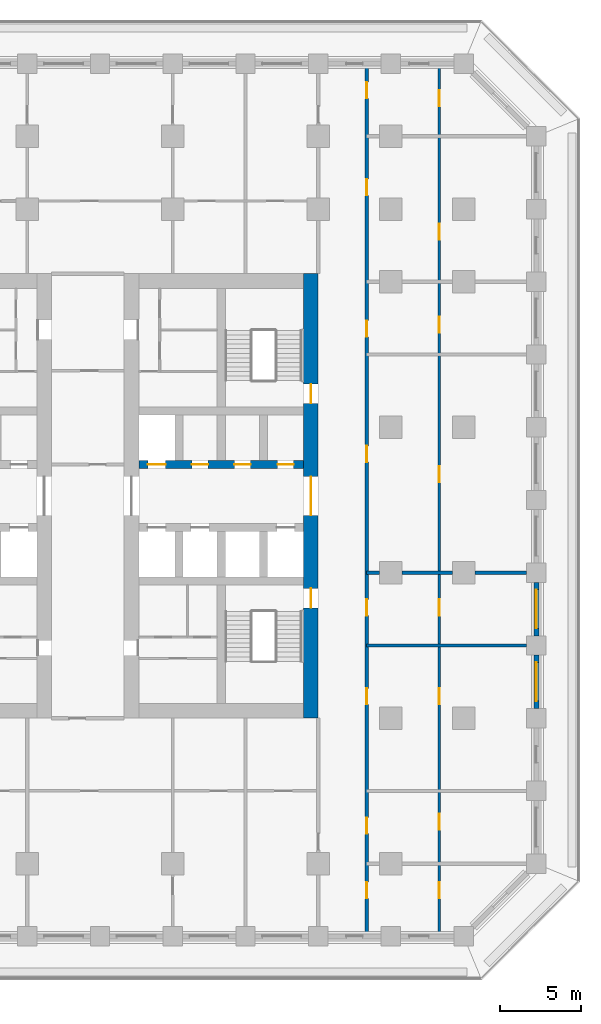
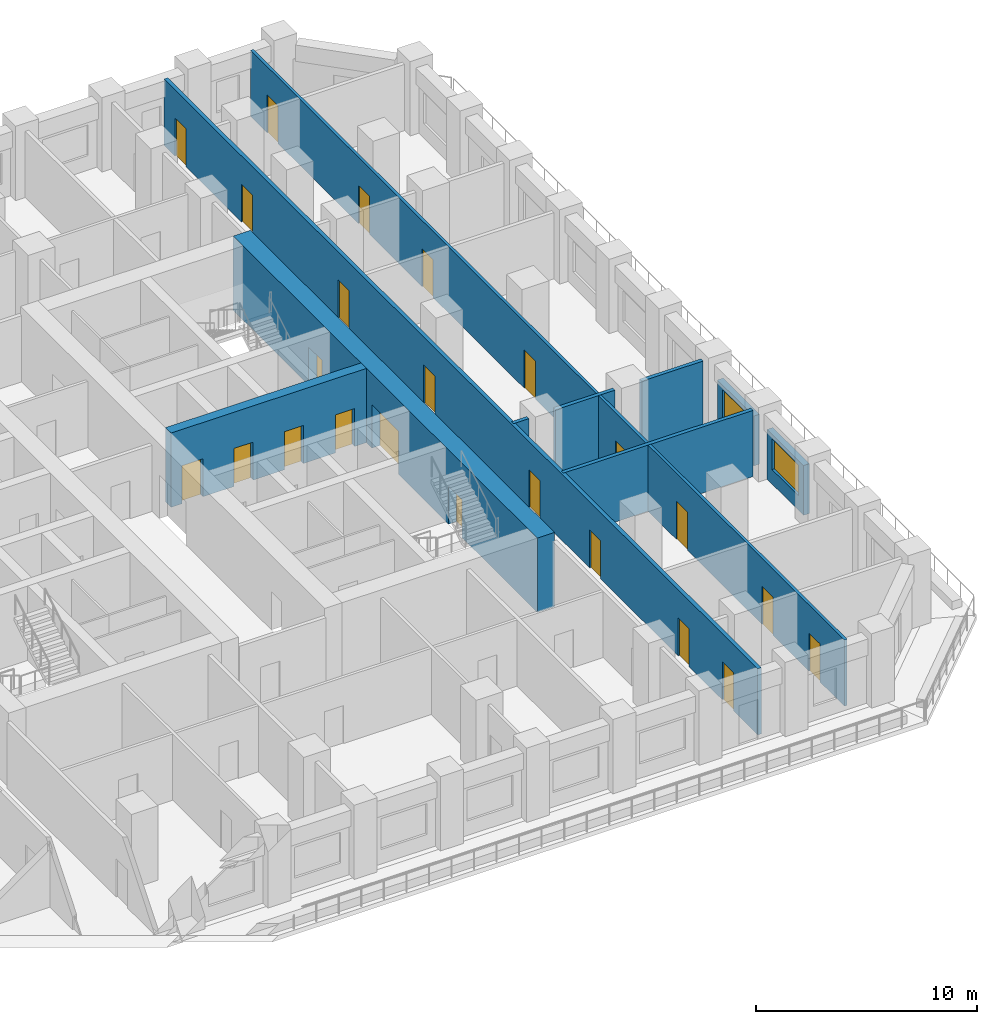
# One storey, part 6 of 18: 23 doors, 10 walls, 2 windows, 25 openings.
"""IFC4 building model written with IfcOpenShell, lengths in metres."""

from ifc_helpers import new_model, si_unit, direction, frame, frame_2d, origin, place, context, subcontext, project, spatial, rectangle, extrude, material, layer, layer_set, type_object, element, fill, save


model = new_model("IFC4")

# Units and contexts
model_context = context("Model", 3, precision=1e-05, world=origin(), true_north=direction((0.0, 1.0)))
body_context = subcontext(model_context, "Body", "Model", "MODEL_VIEW")
ifc_project = project(units=[si_unit("LENGTHUNIT", "METRE"), si_unit("AREAUNIT", "SQUARE_METRE"), si_unit("VOLUMEUNIT", "CUBIC_METRE"), si_unit("PLANEANGLEUNIT", "RADIAN"), si_unit("MASSUNIT", "GRAM", prefix="KILO")], contexts=[model_context])

# Site, building, storey
site_placement = place(None, origin())
site = spatial("IfcSite", under=ifc_project, at=site_placement, CompositionType="ELEMENT")
building_placement = place(site_placement, origin())
building = spatial("IfcBuilding", under=site, at=building_placement, Name="Corbel Stack Research Tower", CompositionType="ELEMENT")
storey_placement = place(building_placement, frame((0.0, 0.0, 102.5)))
storey = spatial("IfcBuildingStorey", under=building, at=storey_placement, Name="L23", CompositionType="ELEMENT", Elevation=102.5)

# Wall, openings, doors
ifc_material_1 = material(Name="Concrete C70/85", Category="concrete")
ifc_layer_1 = layer(ifc_material_1, 0.5)
ifc_layer_set_1 = layer_set([ifc_layer_1], Name="Concrete C70/85")
wall_type_1 = type_object("IfcWallType", Name="CW-500-70", PredefinedType="SHEAR", material=ifc_layer_set_1)
wall_1_placement = place(storey_placement, frame((6.89990234375, 6.699951171875, 0.0), z_axis=(0.0, 0.0, 1.0), x_axis=(1.0, 0.0, 0.0)))
wall_1 = element("IfcWall", 1, at=wall_1_placement, inside=storey, type_object=wall_type_1, Name="East core wall, lobby north L23", PredefinedType="SHEAR", context=body_context, shape_type="SweptSolid", body=[
    extrude(rectangle(XDim=10.2001953125, YDim=0.5, at=frame_2d((5.10009765625, 0.0))), origin(), (0.0, 0.0, 1.0), 4.10009765625),
])
opening_1_placement = place(wall_1_placement, frame((0.5625, 0.0, 0.0)))
opening_1 = element("IfcOpeningElement", 2, at=opening_1_placement, cuts=wall_1, Name="Opening LD-LR4", PredefinedType="OPENING", context=body_context, shape_type="SweptSolid", body=[
    extrude(rectangle(XDim=1.10009765625, YDim=2.10009765625, at=frame_2d((0.550048828125, 1.050048828125))), frame((0.0, 0.260009765625, 0.0), z_axis=(0.0, -1.0, 0.0), x_axis=(1.0, 0.0, 0.0)), (0.0, 0.0, 1.0), 0.52001953125),
])
opening_2_placement = place(wall_1_placement, frame((3.28759765625, 0.0, 0.0)))
opening_2 = element("IfcOpeningElement", 3, at=opening_2_placement, cuts=wall_1, Name="Opening CR-E24-N2", PredefinedType="OPENING", context=body_context, shape_type="SweptSolid", body=[
    extrude(rectangle(XDim=1.0, YDim=2.10009765625, at=frame_2d((0.5, 1.050048828125))), frame((0.0, 0.260009765625, 0.0), z_axis=(0.0, -1.0, 0.0), x_axis=(1.0, 0.0, 0.0)), (0.0, 0.0, 1.0), 0.52001953125),
])
opening_3_placement = place(wall_1_placement, frame((5.91259765625, 0.0, 0.0)))
opening_3 = element("IfcOpeningElement", 4, at=opening_3_placement, cuts=wall_1, Name="Opening CR-E24-N3", PredefinedType="OPENING", context=body_context, shape_type="SweptSolid", body=[
    extrude(rectangle(XDim=1.0, YDim=2.10009765625, at=frame_2d((0.5, 1.050048828125))), frame((0.0, 0.260009765625, 0.0), z_axis=(0.0, -1.0, 0.0), x_axis=(1.0, 0.0, 0.0)), (0.0, 0.0, 1.0), 0.52001953125),
])
opening_4_placement = place(wall_1_placement, frame((8.58740234375, 0.0, 0.0)))
opening_4 = element("IfcOpeningElement", 5, at=opening_4_placement, cuts=wall_1, Name="Opening CR-E24-N4", PredefinedType="OPENING", context=body_context, shape_type="SweptSolid", body=[
    extrude(rectangle(XDim=1.0, YDim=2.10009765625, at=frame_2d((0.5, 1.050048828125))), frame((0.0, 0.260009765625, 0.0), z_axis=(0.0, -1.0, 0.0), x_axis=(1.0, 0.0, 0.0)), (0.0, 0.0, 1.0), 0.52001953125),
])
ifc_material_2 = material(Name="Stainless steel landing door", Category="steel")
door_type_1 = type_object("IfcDoorType", Name="Lift landing door 1100 x 2100", OperationType="DOUBLE_DOOR_SLIDING", PredefinedType="DOOR", material=ifc_material_2)
door_1_placement = place(opening_1_placement, origin())
door_1 = element("IfcDoor", 6, at=door_1_placement, inside=storey, type_object=door_type_1, Name="Landing door LR4", OperationType="DOUBLE_DOOR_SLIDING", OverallHeight=2.10009765625, OverallWidth=1.10009765625, PredefinedType="DOOR", context=body_context, shape_type="SweptSolid", body=[
    extrude(rectangle(XDim=1.10009765625, YDim=2.10009765625, at=frame_2d((0.550048828125, 1.050048828125))), frame((0.0, 0.02490234375, 0.0), z_axis=(0.0, -1.0, 0.0), x_axis=(1.0, 0.0, 0.0)), (0.0, 0.0, 1.0), 0.050048828125),
])
fill(opening_1, door_1)
ifc_material_3 = material(Name="Painted steel door", Category="steel")
door_type_2 = type_object("IfcDoorType", Name="Service door 1000 x 2100 FD60 left hand", OperationType="SINGLE_SWING_LEFT", PredefinedType="DOOR", material=ifc_material_3)
door_2_placement = place(opening_3_placement, origin())
door_2 = element("IfcDoor", 7, at=door_2_placement, inside=storey, type_object=door_type_2, Name="Electrical room door E core", OperationType="SINGLE_SWING_LEFT", OverallHeight=2.10009765625, OverallWidth=1.0, PredefinedType="DOOR", context=body_context, shape_type="SweptSolid", body=[
    extrude(rectangle(XDim=1.0, YDim=2.10009765625, at=frame_2d((0.5, 1.050048828125))), frame((0.0, 0.02490234375, 0.0), z_axis=(0.0, -1.0, 0.0), x_axis=(1.0, 0.0, 0.0)), (0.0, 0.0, 1.0), 0.050048828125),
])
fill(opening_3, door_2)
ifc_material_4 = material(Name="Painted steel door", Category="steel")
door_type_3 = type_object("IfcDoorType", Name="Service door 1000 x 2100 FD60 right hand", OperationType="SINGLE_SWING_RIGHT", PredefinedType="DOOR", material=ifc_material_4)
door_3_placement = place(opening_2_placement, origin())
door_3 = element("IfcDoor", 8, at=door_3_placement, inside=storey, type_object=door_type_3, Name="Records store door E core", OperationType="SINGLE_SWING_RIGHT", OverallHeight=2.10009765625, OverallWidth=1.0, PredefinedType="DOOR", context=body_context, shape_type="SweptSolid", body=[
    extrude(rectangle(XDim=1.0, YDim=2.10009765625, at=frame_2d((0.5, 1.050048828125))), frame((0.0, 0.02490234375, 0.0), z_axis=(0.0, -1.0, 0.0), x_axis=(1.0, 0.0, 0.0)), (0.0, 0.0, 1.0), 0.050048828125),
])
fill(opening_2, door_3)
door_4_placement = place(opening_4_placement, origin())
door_4 = element("IfcDoor", 9, at=door_4_placement, inside=storey, type_object=door_type_3, Name="Pantry door E core", OperationType="SINGLE_SWING_RIGHT", OverallHeight=2.10009765625, OverallWidth=1.0, PredefinedType="DOOR", context=body_context, shape_type="SweptSolid", body=[
    extrude(rectangle(XDim=1.0, YDim=2.10009765625, at=frame_2d((0.5, 1.050048828125))), frame((0.0, 0.02490234375, 0.0), z_axis=(0.0, -1.0, 0.0), x_axis=(1.0, 0.0, 0.0)), (0.0, 0.0, 1.0), 0.050048828125),
])
fill(opening_4, door_4)

ifc_material_5 = material(Name="Concrete C70/85", Category="concrete")
ifc_layer_2 = layer(ifc_material_5, 0.89990234375)
ifc_layer_set_2 = layer_set([ifc_layer_2], Name="Concrete C70/85")
wall_type_2 = type_object("IfcWallType", Name="CW-900-70", PredefinedType="SHEAR", material=ifc_layer_set_2)
wall_2_placement = place(storey_placement, frame((17.550048828125, -9.0, 0.0), z_axis=(0.0, 0.0, 1.0), x_axis=(0.0, 1.0, 0.0)))
wall_2 = element("IfcWall", 10, at=wall_2_placement, inside=storey, type_object=wall_type_2, Name="East core wall, east face L23", PredefinedType="SHEAR", context=body_context, shape_type="SweptSolid", body=[
    extrude(rectangle(XDim=27.5, YDim=0.89990234375, at=frame_2d((13.75, 0.0))), origin(), (0.0, 0.0, 1.0), 4.10009765625),
])
opening_5_placement = place(wall_2_placement, frame((12.550048828125, 0.0, 0.0)))
opening_5 = element("IfcOpeningElement", 11, at=opening_5_placement, cuts=wall_2, Name="Opening CD-E-E", PredefinedType="OPENING", context=body_context, shape_type="SweptSolid", body=[
    extrude(rectangle(XDim=2.39990234375, YDim=2.39990234375, at=frame_2d((1.199951171875, 1.199951171875))), frame((0.0, 0.4599609375, 0.0), z_axis=(0.0, -1.0, 0.0), x_axis=(1.0, 0.0, 0.0)), (0.0, 0.0, 1.0), 0.919921875),
])
opening_6_placement = place(wall_2_placement, frame((6.824951171875, 0.0, 0.0)))
opening_6 = element("IfcOpeningElement", 12, at=opening_6_placement, cuts=wall_2, Name="Opening SD-ST-E1", PredefinedType="OPENING", context=body_context, shape_type="SweptSolid", body=[
    extrude(rectangle(XDim=1.199951171875, YDim=2.10009765625, at=frame_2d((0.60009765625, 1.050048828125))), frame((0.0, 0.4599609375, 0.0), z_axis=(0.0, -1.0, 0.0), x_axis=(1.0, 0.0, 0.0)), (0.0, 0.0, 1.0), 0.919921875),
])
opening_7_placement = place(wall_2_placement, frame((19.47509765625, 0.0, 0.0)))
opening_7 = element("IfcOpeningElement", 13, at=opening_7_placement, cuts=wall_2, Name="Opening SD-ST-E2", PredefinedType="OPENING", context=body_context, shape_type="SweptSolid", body=[
    extrude(rectangle(XDim=1.199951171875, YDim=2.10009765625, at=frame_2d((0.60009765625, 1.050048828125))), frame((0.0, 0.4599609375, 0.0), z_axis=(0.0, -1.0, 0.0), x_axis=(1.0, 0.0, 0.0)), (0.0, 0.0, 1.0), 0.919921875),
])
ifc_material_6 = material(Name="Painted steel fire door", Category="steel")
door_type_4 = type_object("IfcDoorType", Name="Lobby door pair 2400 x 2400 FD30S", OperationType="DOUBLE_DOOR_DOUBLE_SWING", PredefinedType="DOOR", material=ifc_material_6)
door_5_placement = place(opening_5_placement, origin())
door_5 = element("IfcDoor", 14, at=door_5_placement, inside=storey, type_object=door_type_4, Name="Lift lobby door E core E", OperationType="DOUBLE_DOOR_DOUBLE_SWING", OverallHeight=2.39990234375, OverallWidth=2.39990234375, PredefinedType="DOOR", context=body_context, shape_type="SweptSolid", body=[
    extrude(rectangle(XDim=2.39990234375, YDim=2.39990234375, at=frame_2d((1.199951171875, 1.199951171875))), frame((0.0, 0.02490234375, 0.0), z_axis=(0.0, -1.0, 0.0), x_axis=(1.0, 0.0, 0.0)), (0.0, 0.0, 1.0), 0.050048828125),
])
fill(opening_5, door_5)
ifc_material_7 = material(Name="Painted steel fire door", Category="steel")
door_type_5 = type_object("IfcDoorType", Name="Stair door 1200 x 2100 FD90 right hand", OperationType="SINGLE_SWING_RIGHT", PredefinedType="DOOR", material=ifc_material_7)
door_6_placement = place(opening_6_placement, frame((1.199951171875, 0.0, 0.0), z_axis=(0.0, 0.0, 1.0), x_axis=(-1.0, 0.0, 0.0)))
door_6 = element("IfcDoor", 15, at=door_6_placement, inside=storey, type_object=door_type_5, Name="Stair door ST-E1", OperationType="SINGLE_SWING_LEFT", OverallHeight=2.10009765625, OverallWidth=1.199951171875, PredefinedType="DOOR", context=body_context, shape_type="SweptSolid", body=[
    extrude(rectangle(XDim=1.199951171875, YDim=2.10009765625, at=frame_2d((0.60009765625, 1.050048828125))), frame((0.0, 0.02490234375, 0.0), z_axis=(0.0, -1.0, 0.0), x_axis=(1.0, 0.0, 0.0)), (0.0, 0.0, 1.0), 0.050048828125),
])
fill(opening_6, door_6)
door_7_placement = place(opening_7_placement, frame((1.199951171875, 0.0, 0.0), z_axis=(0.0, 0.0, 1.0), x_axis=(-1.0, 0.0, 0.0)))
door_7 = element("IfcDoor", 16, at=door_7_placement, inside=storey, type_object=door_type_5, Name="Stair door ST-E2", OperationType="SINGLE_SWING_LEFT", OverallHeight=2.10009765625, OverallWidth=1.199951171875, PredefinedType="DOOR", context=body_context, shape_type="SweptSolid", body=[
    extrude(rectangle(XDim=1.199951171875, YDim=2.10009765625, at=frame_2d((0.60009765625, 1.050048828125))), frame((0.0, 0.02490234375, 0.0), z_axis=(0.0, -1.0, 0.0), x_axis=(1.0, 0.0, 0.0)), (0.0, 0.0, 1.0), 0.050048828125),
])
fill(opening_7, door_7)

ifc_material_8 = material(Name="Fire-rated gypsum board partition on steel studs", Category="steel")
ifc_layer_3 = layer(ifc_material_8, 0.199951171875)
ifc_layer_set_3 = layer_set([ifc_layer_3], Name="Fire-rated gypsum board partition on steel studs")
wall_type_3 = type_object("IfcWallType", Name="Fire-rated partition 200 EI 60", PredefinedType="PARTITIONING", material=ifc_layer_set_3)
wall_3_placement = place(storey_placement, frame((21.0, 31.35009765625, 0.0), z_axis=(0.0, 0.0, 1.0), x_axis=(0.0, -1.0, 0.0)))
wall_3 = element("IfcWall", 17, at=wall_3_placement, inside=storey, type_object=wall_type_3, Name="Partition L23-029", PredefinedType="PARTITIONING", context=body_context, shape_type="SweptSolid", body=[
    extrude(rectangle(XDim=53.7001953125, YDim=0.199951171875, at=frame_2d((26.85009765625, 0.0))), origin(), (0.0, 0.0, 1.0), 3.64990234375),
])
opening_8_placement = place(wall_3_placement, frame((50.5, 0.0, 0.0)))
opening_8 = element("IfcOpeningElement", 18, at=opening_8_placement, cuts=wall_3, Name="Opening B3V2-034", PredefinedType="OPENING", context=body_context, shape_type="SweptSolid", body=[
    extrude(rectangle(XDim=1.0, YDim=2.10009765625, at=frame_2d((0.5, 1.050048828125))), frame((0.0, 0.10986328125, 0.0), z_axis=(0.0, -1.0, 0.0), x_axis=(1.0, 0.0, 0.0)), (0.0, 0.0, 1.0), 0.219970703125),
])
opening_9_placement = place(wall_3_placement, frame((46.5, 0.0, 0.0)))
opening_9 = element("IfcOpeningElement", 19, at=opening_9_placement, cuts=wall_3, Name="Opening B3V2-035", PredefinedType="OPENING", context=body_context, shape_type="SweptSolid", body=[
    extrude(rectangle(XDim=1.0, YDim=2.10009765625, at=frame_2d((0.5, 1.050048828125))), frame((0.0, 0.10986328125, 0.0), z_axis=(0.0, -1.0, 0.0), x_axis=(1.0, 0.0, 0.0)), (0.0, 0.0, 1.0), 0.219970703125),
])
opening_10_placement = place(wall_3_placement, frame((38.5, 0.0, 0.0)))
opening_10 = element("IfcOpeningElement", 20, at=opening_10_placement, cuts=wall_3, Name="Opening B3V2-036", PredefinedType="OPENING", context=body_context, shape_type="SweptSolid", body=[
    extrude(rectangle(XDim=1.0, YDim=2.10009765625, at=frame_2d((0.5, 1.050048828125))), frame((0.0, 0.10986328125, 0.0), z_axis=(0.0, -1.0, 0.0), x_axis=(1.0, 0.0, 0.0)), (0.0, 0.0, 1.0), 0.219970703125),
])
opening_11_placement = place(wall_3_placement, frame((33.0, 0.0, 0.0)))
opening_11 = element("IfcOpeningElement", 21, at=opening_11_placement, cuts=wall_3, Name="Opening B3V2-037", PredefinedType="OPENING", context=body_context, shape_type="SweptSolid", body=[
    extrude(rectangle(XDim=1.0, YDim=2.10009765625, at=frame_2d((0.5, 1.050048828125))), frame((0.0, 0.10986328125, 0.0), z_axis=(0.0, -1.0, 0.0), x_axis=(1.0, 0.0, 0.0)), (0.0, 0.0, 1.0), 0.219970703125),
])
opening_12_placement = place(wall_3_placement, frame((23.5, 0.0, 0.0)))
opening_12 = element("IfcOpeningElement", 22, at=opening_12_placement, cuts=wall_3, Name="Opening B3V2-038", PredefinedType="OPENING", context=body_context, shape_type="SweptSolid", body=[
    extrude(rectangle(XDim=1.0, YDim=2.10009765625, at=frame_2d((0.5, 1.050048828125))), frame((0.0, 0.10986328125, 0.0), z_axis=(0.0, -1.0, 0.0), x_axis=(1.0, 0.0, 0.0)), (0.0, 0.0, 1.0), 0.219970703125),
])
opening_13_placement = place(wall_3_placement, frame((15.75, 0.0, 0.0)))
opening_13 = element("IfcOpeningElement", 23, at=opening_13_placement, cuts=wall_3, Name="Opening B3V2-039", PredefinedType="OPENING", context=body_context, shape_type="SweptSolid", body=[
    extrude(rectangle(XDim=1.0, YDim=2.10009765625, at=frame_2d((0.5, 1.050048828125))), frame((0.0, 0.10986328125, 0.0), z_axis=(0.0, -1.0, 0.0), x_axis=(1.0, 0.0, 0.0)), (0.0, 0.0, 1.0), 0.219970703125),
])
opening_14_placement = place(wall_3_placement, frame((7.0, 0.0, 0.0)))
opening_14 = element("IfcOpeningElement", 24, at=opening_14_placement, cuts=wall_3, Name="Opening B3V2-040", PredefinedType="OPENING", context=body_context, shape_type="SweptSolid", body=[
    extrude(rectangle(XDim=1.0, YDim=2.10009765625, at=frame_2d((0.5, 1.050048828125))), frame((0.0, 0.10986328125, 0.0), z_axis=(0.0, -1.0, 0.0), x_axis=(1.0, 0.0, 0.0)), (0.0, 0.0, 1.0), 0.219970703125),
])
opening_15_placement = place(wall_3_placement, frame((1.0, 0.0, 0.0)))
opening_15 = element("IfcOpeningElement", 25, at=opening_15_placement, cuts=wall_3, Name="Opening B3V2-041", PredefinedType="OPENING", context=body_context, shape_type="SweptSolid", body=[
    extrude(rectangle(XDim=1.0, YDim=2.10009765625, at=frame_2d((0.5, 1.050048828125))), frame((0.0, 0.10986328125, 0.0), z_axis=(0.0, -1.0, 0.0), x_axis=(1.0, 0.0, 0.0)), (0.0, 0.0, 1.0), 0.219970703125),
])
ifc_material_9 = material(Name="Painted steel fire door", Category="steel")
door_type_6 = type_object("IfcDoorType", Name="Fire door FD30S 1000 x 2100", OperationType="NOTDEFINED", PredefinedType="DOOR", material=ifc_material_9)
door_8_placement = place(opening_8_placement, origin())
door_8 = element("IfcDoor", 26, at=door_8_placement, inside=storey, type_object=door_type_6, Name="Door B3V2-034", OperationType="SINGLE_SWING_RIGHT", OverallHeight=2.10009765625, OverallWidth=1.0, PredefinedType="DOOR", context=body_context, shape_type="SweptSolid", body=[
    extrude(rectangle(XDim=1.0, YDim=2.10009765625, at=frame_2d((0.5, 1.050048828125))), frame((0.0, 0.02490234375, 0.0), z_axis=(0.0, -1.0, 0.0), x_axis=(1.0, 0.0, 0.0)), (0.0, 0.0, 1.0), 0.050048828125),
])
fill(opening_8, door_8)
door_9_placement = place(opening_9_placement, origin())
door_9 = element("IfcDoor", 27, at=door_9_placement, inside=storey, type_object=door_type_6, Name="Door B3V2-035", OperationType="SINGLE_SWING_RIGHT", OverallHeight=2.10009765625, OverallWidth=1.0, PredefinedType="DOOR", context=body_context, shape_type="SweptSolid", body=[
    extrude(rectangle(XDim=1.0, YDim=2.10009765625, at=frame_2d((0.5, 1.050048828125))), frame((0.0, 0.02490234375, 0.0), z_axis=(0.0, -1.0, 0.0), x_axis=(1.0, 0.0, 0.0)), (0.0, 0.0, 1.0), 0.050048828125),
])
fill(opening_9, door_9)
door_10_placement = place(opening_10_placement, origin())
door_10 = element("IfcDoor", 28, at=door_10_placement, inside=storey, type_object=door_type_6, Name="Door B3V2-036", OperationType="SINGLE_SWING_RIGHT", OverallHeight=2.10009765625, OverallWidth=1.0, PredefinedType="DOOR", context=body_context, shape_type="SweptSolid", body=[
    extrude(rectangle(XDim=1.0, YDim=2.10009765625, at=frame_2d((0.5, 1.050048828125))), frame((0.0, 0.02490234375, 0.0), z_axis=(0.0, -1.0, 0.0), x_axis=(1.0, 0.0, 0.0)), (0.0, 0.0, 1.0), 0.050048828125),
])
fill(opening_10, door_10)
door_11_placement = place(opening_11_placement, origin())
door_11 = element("IfcDoor", 29, at=door_11_placement, inside=storey, type_object=door_type_6, Name="Door B3V2-037", OperationType="SINGLE_SWING_RIGHT", OverallHeight=2.10009765625, OverallWidth=1.0, PredefinedType="DOOR", context=body_context, shape_type="SweptSolid", body=[
    extrude(rectangle(XDim=1.0, YDim=2.10009765625, at=frame_2d((0.5, 1.050048828125))), frame((0.0, 0.02490234375, 0.0), z_axis=(0.0, -1.0, 0.0), x_axis=(1.0, 0.0, 0.0)), (0.0, 0.0, 1.0), 0.050048828125),
])
fill(opening_11, door_11)
door_12_placement = place(opening_12_placement, origin())
door_12 = element("IfcDoor", 30, at=door_12_placement, inside=storey, type_object=door_type_6, Name="Door B3V2-038", OperationType="SINGLE_SWING_LEFT", OverallHeight=2.10009765625, OverallWidth=1.0, PredefinedType="DOOR", context=body_context, shape_type="SweptSolid", body=[
    extrude(rectangle(XDim=1.0, YDim=2.10009765625, at=frame_2d((0.5, 1.050048828125))), frame((0.0, 0.02490234375, 0.0), z_axis=(0.0, -1.0, 0.0), x_axis=(1.0, 0.0, 0.0)), (0.0, 0.0, 1.0), 0.050048828125),
])
fill(opening_12, door_12)
door_13_placement = place(opening_13_placement, origin())
door_13 = element("IfcDoor", 31, at=door_13_placement, inside=storey, type_object=door_type_6, Name="Door B3V2-039", OperationType="SINGLE_SWING_LEFT", OverallHeight=2.10009765625, OverallWidth=1.0, PredefinedType="DOOR", context=body_context, shape_type="SweptSolid", body=[
    extrude(rectangle(XDim=1.0, YDim=2.10009765625, at=frame_2d((0.5, 1.050048828125))), frame((0.0, 0.02490234375, 0.0), z_axis=(0.0, -1.0, 0.0), x_axis=(1.0, 0.0, 0.0)), (0.0, 0.0, 1.0), 0.050048828125),
])
fill(opening_13, door_13)
door_14_placement = place(opening_14_placement, origin())
door_14 = element("IfcDoor", 32, at=door_14_placement, inside=storey, type_object=door_type_6, Name="Door B3V2-040", OperationType="SINGLE_SWING_LEFT", OverallHeight=2.10009765625, OverallWidth=1.0, PredefinedType="DOOR", context=body_context, shape_type="SweptSolid", body=[
    extrude(rectangle(XDim=1.0, YDim=2.10009765625, at=frame_2d((0.5, 1.050048828125))), frame((0.0, 0.02490234375, 0.0), z_axis=(0.0, -1.0, 0.0), x_axis=(1.0, 0.0, 0.0)), (0.0, 0.0, 1.0), 0.050048828125),
])
fill(opening_14, door_14)
door_15_placement = place(opening_15_placement, origin())
door_15 = element("IfcDoor", 33, at=door_15_placement, inside=storey, type_object=door_type_6, Name="Door B3V2-041", OperationType="SINGLE_SWING_LEFT", OverallHeight=2.10009765625, OverallWidth=1.0, PredefinedType="DOOR", context=body_context, shape_type="SweptSolid", body=[
    extrude(rectangle(XDim=1.0, YDim=2.10009765625, at=frame_2d((0.5, 1.050048828125))), frame((0.0, 0.02490234375, 0.0), z_axis=(0.0, -1.0, 0.0), x_axis=(1.0, 0.0, 0.0)), (0.0, 0.0, 1.0), 0.050048828125),
])
fill(opening_15, door_15)

# Walls
wall_4_placement = place(storey_placement, frame((21.0, -4.5, 0.0), z_axis=(0.0, 0.0, 1.0), x_axis=(1.0, 0.0, 0.0)))
element("IfcWall", 34, at=wall_4_placement, inside=storey, type_object=wall_type_3, Name="Partition L23-039", PredefinedType="PARTITIONING", context=body_context, shape_type="SweptSolid", body=[
    extrude(rectangle(XDim=9.89990234375, YDim=0.199951171875, at=frame_2d((4.949951171875, 0.0))), origin(), (0.0, 0.0, 1.0), 3.64990234375),
])
wall_5_placement = place(storey_placement, frame((21.0, 0.0, 0.0), z_axis=(0.0, 0.0, 1.0), x_axis=(1.0, 0.0, 0.0)))
element("IfcWall", 35, at=wall_5_placement, inside=storey, type_object=wall_type_3, Name="Partition L23-042", PredefinedType="PARTITIONING", context=body_context, shape_type="SweptSolid", body=[
    extrude(rectangle(XDim=0.800048828125, YDim=0.199951171875, at=frame_2d((0.39990234375, 0.0))), origin(), (0.0, 0.0, 1.0), 3.64990234375),
])
wall_6_placement = place(storey_placement, frame((23.199951171875, 0.0, 0.0), z_axis=(0.0, 0.0, 1.0), x_axis=(1.0, 0.0, 0.0)))
element("IfcWall", 36, at=wall_6_placement, inside=storey, type_object=wall_type_3, Name="Partition L23-043", PredefinedType="PARTITIONING", context=body_context, shape_type="SweptSolid", body=[
    extrude(rectangle(XDim=3.10009765625, YDim=0.199951171875, at=frame_2d((1.550048828125, 0.0))), origin(), (0.0, 0.0, 1.0), 3.64990234375),
])
wall_7_placement = place(storey_placement, frame((27.699951171875, 0.0, 0.0), z_axis=(0.0, 0.0, 1.0), x_axis=(1.0, 0.0, 0.0)))
element("IfcWall", 37, at=wall_7_placement, inside=storey, type_object=wall_type_3, Name="Partition L23-044", PredefinedType="PARTITIONING", context=body_context, shape_type="SweptSolid", body=[
    extrude(rectangle(XDim=3.199951171875, YDim=0.199951171875, at=frame_2d((1.60009765625, 0.0))), origin(), (0.0, 0.0, 1.0), 3.64990234375),
])

# Wall, openings, doors
ifc_material_10 = material(Name="Gypsum board partition on steel studs", Category="steel")
ifc_layer_4 = layer(ifc_material_10, 0.14990234375)
ifc_layer_set_4 = layer_set([ifc_layer_4], Name="Gypsum board partition on steel studs")
wall_type_4 = type_object("IfcWallType", Name="Partition 150", PredefinedType="PARTITIONING", material=ifc_layer_set_4)
wall_8_placement = place(storey_placement, frame((25.5, 31.35009765625, 0.0), z_axis=(0.0, 0.0, 1.0), x_axis=(0.0, -1.0, 0.0)))
wall_8 = element("IfcWall", 38, at=wall_8_placement, inside=storey, type_object=wall_type_4, Name="Partition L23-030", PredefinedType="PARTITIONING", context=body_context, shape_type="SweptSolid", body=[
    extrude(rectangle(XDim=53.7001953125, YDim=0.14990234375, at=frame_2d((26.85009765625, 0.0))), origin(), (0.0, 0.0, 1.0), 3.64990234375),
])
opening_16_placement = place(wall_8_placement, frame((50.5, 0.0, 0.0)))
opening_16 = element("IfcOpeningElement", 39, at=opening_16_placement, cuts=wall_8, Name="Opening B3V2-047", PredefinedType="OPENING", context=body_context, shape_type="SweptSolid", body=[
    extrude(rectangle(XDim=1.0, YDim=2.10009765625, at=frame_2d((0.5, 1.050048828125))), frame((0.0, 0.0849609375, 0.0), z_axis=(0.0, -1.0, 0.0), x_axis=(1.0, 0.0, 0.0)), (0.0, 0.0, 1.0), 0.169921875),
])
opening_17_placement = place(wall_8_placement, frame((46.25, 0.0, 0.0)))
opening_17 = element("IfcOpeningElement", 40, at=opening_17_placement, cuts=wall_8, Name="Opening B3V2-048", PredefinedType="OPENING", context=body_context, shape_type="SweptSolid", body=[
    extrude(rectangle(XDim=1.0, YDim=2.10009765625, at=frame_2d((0.5, 1.050048828125))), frame((0.0, 0.0849609375, 0.0), z_axis=(0.0, -1.0, 0.0), x_axis=(1.0, 0.0, 0.0)), (0.0, 0.0, 1.0), 0.169921875),
])
opening_18_placement = place(wall_8_placement, frame((38.5, 0.0, 0.0)))
opening_18 = element("IfcOpeningElement", 41, at=opening_18_placement, cuts=wall_8, Name="Opening B3V2-049", PredefinedType="OPENING", context=body_context, shape_type="SweptSolid", body=[
    extrude(rectangle(XDim=1.0, YDim=2.10009765625, at=frame_2d((0.5, 1.050048828125))), frame((0.0, 0.0849609375, 0.0), z_axis=(0.0, -1.0, 0.0), x_axis=(1.0, 0.0, 0.0)), (0.0, 0.0, 1.0), 0.169921875),
])
opening_19_placement = place(wall_8_placement, frame((33.0, 0.0, 0.0)))
opening_19 = element("IfcOpeningElement", 42, at=opening_19_placement, cuts=wall_8, Name="Opening B3V2-050", PredefinedType="OPENING", context=body_context, shape_type="SweptSolid", body=[
    extrude(rectangle(XDim=1.0, YDim=2.10009765625, at=frame_2d((0.5, 1.050048828125))), frame((0.0, 0.0849609375, 0.0), z_axis=(0.0, -1.0, 0.0), x_axis=(1.0, 0.0, 0.0)), (0.0, 0.0, 1.0), 0.169921875),
])
opening_20_placement = place(wall_8_placement, frame((24.75, 0.0, 0.0)))
opening_20 = element("IfcOpeningElement", 43, at=opening_20_placement, cuts=wall_8, Name="Opening B3V2-051", PredefinedType="OPENING", context=body_context, shape_type="SweptSolid", body=[
    extrude(rectangle(XDim=1.0, YDim=2.10009765625, at=frame_2d((0.5, 1.050048828125))), frame((0.0, 0.0849609375, 0.0), z_axis=(0.0, -1.0, 0.0), x_axis=(1.0, 0.0, 0.0)), (0.0, 0.0, 1.0), 0.169921875),
])
opening_21_placement = place(wall_8_placement, frame((15.5, 0.0, 0.0)))
opening_21 = element("IfcOpeningElement", 44, at=opening_21_placement, cuts=wall_8, Name="Opening B3V2-052", PredefinedType="OPENING", context=body_context, shape_type="SweptSolid", body=[
    extrude(rectangle(XDim=1.0, YDim=2.10009765625, at=frame_2d((0.5, 1.050048828125))), frame((0.0, 0.0849609375, 0.0), z_axis=(0.0, -1.0, 0.0), x_axis=(1.0, 0.0, 0.0)), (0.0, 0.0, 1.0), 0.169921875),
])
opening_22_placement = place(wall_8_placement, frame((9.75, 0.0, 0.0)))
opening_22 = element("IfcOpeningElement", 45, at=opening_22_placement, cuts=wall_8, Name="Opening B3V2-053", PredefinedType="OPENING", context=body_context, shape_type="SweptSolid", body=[
    extrude(rectangle(XDim=1.0, YDim=2.10009765625, at=frame_2d((0.5, 1.050048828125))), frame((0.0, 0.0849609375, 0.0), z_axis=(0.0, -1.0, 0.0), x_axis=(1.0, 0.0, 0.0)), (0.0, 0.0, 1.0), 0.169921875),
])
opening_23_placement = place(wall_8_placement, frame((1.5, 0.0, 0.0)))
opening_23 = element("IfcOpeningElement", 46, at=opening_23_placement, cuts=wall_8, Name="Opening B3V2-054", PredefinedType="OPENING", context=body_context, shape_type="SweptSolid", body=[
    extrude(rectangle(XDim=1.0, YDim=2.10009765625, at=frame_2d((0.5, 1.050048828125))), frame((0.0, 0.0849609375, 0.0), z_axis=(0.0, -1.0, 0.0), x_axis=(1.0, 0.0, 0.0)), (0.0, 0.0, 1.0), 0.169921875),
])
ifc_material_11 = material(Name="Painted timber door", Category="wood")
door_type_7 = type_object("IfcDoorType", Name="Single door 1000 x 2100", OperationType="NOTDEFINED", PredefinedType="DOOR", material=ifc_material_11)
door_16_placement = place(opening_16_placement, origin())
door_16 = element("IfcDoor", 47, at=door_16_placement, inside=storey, type_object=door_type_7, Name="Door B3V2-047", OperationType="SINGLE_SWING_RIGHT", OverallHeight=2.10009765625, OverallWidth=1.0, PredefinedType="DOOR", context=body_context, shape_type="SweptSolid", body=[
    extrude(rectangle(XDim=1.0, YDim=2.10009765625, at=frame_2d((0.5, 1.050048828125))), frame((0.0, 0.02490234375, 0.0), z_axis=(0.0, -1.0, 0.0), x_axis=(1.0, 0.0, 0.0)), (0.0, 0.0, 1.0), 0.050048828125),
])
fill(opening_16, door_16)
door_17_placement = place(opening_17_placement, origin())
door_17 = element("IfcDoor", 48, at=door_17_placement, inside=storey, type_object=door_type_7, Name="Door B3V2-048", OperationType="SINGLE_SWING_RIGHT", OverallHeight=2.10009765625, OverallWidth=1.0, PredefinedType="DOOR", context=body_context, shape_type="SweptSolid", body=[
    extrude(rectangle(XDim=1.0, YDim=2.10009765625, at=frame_2d((0.5, 1.050048828125))), frame((0.0, 0.02490234375, 0.0), z_axis=(0.0, -1.0, 0.0), x_axis=(1.0, 0.0, 0.0)), (0.0, 0.0, 1.0), 0.050048828125),
])
fill(opening_17, door_17)
door_18_placement = place(opening_18_placement, origin())
door_18 = element("IfcDoor", 49, at=door_18_placement, inside=storey, type_object=door_type_7, Name="Door B3V2-049", OperationType="SINGLE_SWING_RIGHT", OverallHeight=2.10009765625, OverallWidth=1.0, PredefinedType="DOOR", context=body_context, shape_type="SweptSolid", body=[
    extrude(rectangle(XDim=1.0, YDim=2.10009765625, at=frame_2d((0.5, 1.050048828125))), frame((0.0, 0.02490234375, 0.0), z_axis=(0.0, -1.0, 0.0), x_axis=(1.0, 0.0, 0.0)), (0.0, 0.0, 1.0), 0.050048828125),
])
fill(opening_18, door_18)
door_19_placement = place(opening_19_placement, origin())
door_19 = element("IfcDoor", 50, at=door_19_placement, inside=storey, type_object=door_type_7, Name="Door B3V2-050", OperationType="SINGLE_SWING_RIGHT", OverallHeight=2.10009765625, OverallWidth=1.0, PredefinedType="DOOR", context=body_context, shape_type="SweptSolid", body=[
    extrude(rectangle(XDim=1.0, YDim=2.10009765625, at=frame_2d((0.5, 1.050048828125))), frame((0.0, 0.02490234375, 0.0), z_axis=(0.0, -1.0, 0.0), x_axis=(1.0, 0.0, 0.0)), (0.0, 0.0, 1.0), 0.050048828125),
])
fill(opening_19, door_19)
door_20_placement = place(opening_20_placement, origin())
door_20 = element("IfcDoor", 51, at=door_20_placement, inside=storey, type_object=door_type_7, Name="Door B3V2-051", OperationType="SINGLE_SWING_LEFT", OverallHeight=2.10009765625, OverallWidth=1.0, PredefinedType="DOOR", context=body_context, shape_type="SweptSolid", body=[
    extrude(rectangle(XDim=1.0, YDim=2.10009765625, at=frame_2d((0.5, 1.050048828125))), frame((0.0, 0.02490234375, 0.0), z_axis=(0.0, -1.0, 0.0), x_axis=(1.0, 0.0, 0.0)), (0.0, 0.0, 1.0), 0.050048828125),
])
fill(opening_20, door_20)
door_21_placement = place(opening_21_placement, origin())
door_21 = element("IfcDoor", 52, at=door_21_placement, inside=storey, type_object=door_type_7, Name="Door B3V2-052", OperationType="SINGLE_SWING_LEFT", OverallHeight=2.10009765625, OverallWidth=1.0, PredefinedType="DOOR", context=body_context, shape_type="SweptSolid", body=[
    extrude(rectangle(XDim=1.0, YDim=2.10009765625, at=frame_2d((0.5, 1.050048828125))), frame((0.0, 0.02490234375, 0.0), z_axis=(0.0, -1.0, 0.0), x_axis=(1.0, 0.0, 0.0)), (0.0, 0.0, 1.0), 0.050048828125),
])
fill(opening_21, door_21)
door_22_placement = place(opening_22_placement, origin())
door_22 = element("IfcDoor", 53, at=door_22_placement, inside=storey, type_object=door_type_7, Name="Door B3V2-053", OperationType="SINGLE_SWING_LEFT", OverallHeight=2.10009765625, OverallWidth=1.0, PredefinedType="DOOR", context=body_context, shape_type="SweptSolid", body=[
    extrude(rectangle(XDim=1.0, YDim=2.10009765625, at=frame_2d((0.5, 1.050048828125))), frame((0.0, 0.02490234375, 0.0), z_axis=(0.0, -1.0, 0.0), x_axis=(1.0, 0.0, 0.0)), (0.0, 0.0, 1.0), 0.050048828125),
])
fill(opening_22, door_22)
door_23_placement = place(opening_23_placement, origin())
door_23 = element("IfcDoor", 54, at=door_23_placement, inside=storey, type_object=door_type_7, Name="Door B3V2-054", OperationType="SINGLE_SWING_LEFT", OverallHeight=2.10009765625, OverallWidth=1.0, PredefinedType="DOOR", context=body_context, shape_type="SweptSolid", body=[
    extrude(rectangle(XDim=1.0, YDim=2.10009765625, at=frame_2d((0.5, 1.050048828125))), frame((0.0, 0.02490234375, 0.0), z_axis=(0.0, -1.0, 0.0), x_axis=(1.0, 0.0, 0.0)), (0.0, 0.0, 1.0), 0.050048828125),
])
fill(opening_23, door_23)

# Wall, opening, window
ifc_material_12 = material(Name="Concrete C45/55", Category="concrete")
ifc_layer_5 = layer(ifc_material_12, 0.300048828125)
ifc_layer_set_5 = layer_set([ifc_layer_5], Name="Concrete C45/55")
wall_type_5 = type_object("IfcWallType", Name="Terracotta-faced concrete wall 300", PredefinedType="SOLIDWALL", material=ifc_layer_set_5)
wall_9_placement = place(storey_placement, frame((31.5, -5.10009765625, 0.0), z_axis=(0.0, 0.0, 1.0), x_axis=(0.0, -1.0, 0.0)))
wall_9 = element("IfcWall", 55, at=wall_9_placement, inside=storey, type_object=wall_type_5, Name="Facade wall L23 E03", PredefinedType="SOLIDWALL", context=body_context, shape_type="SweptSolid", body=[
    extrude(rectangle(XDim=3.2998046875, YDim=0.300048828125, at=frame_2d((1.64990234375, 0.0))), origin(), (0.0, 0.0, 1.0), 2.75),
])
opening_24_placement = place(wall_9_placement, frame((0.449951171875, 0.0, 0.800048828125)))
opening_24 = element("IfcOpeningElement", 56, at=opening_24_placement, cuts=wall_9, Name="Opening W1", PredefinedType="OPENING", context=body_context, shape_type="SweptSolid", body=[
    extrude(rectangle(XDim=2.39990234375, YDim=1.699951171875, at=frame_2d((1.199951171875, 0.85009765625))), frame((0.0, 0.159912109375, 0.0), z_axis=(0.0, -1.0, 0.0), x_axis=(1.0, 0.0, 0.0)), (0.0, 0.0, 1.0), 0.320068359375),
])
ifc_material_13 = material(Name="Aluminium frame, clear double glazing", Category="aluminium")
window_type = type_object("IfcWindowType", Name="Window W1 2400 x 1700", PartitioningType="SINGLE_PANEL", PredefinedType="WINDOW", material=ifc_material_13)
window_1_placement = place(opening_24_placement, origin())
window_1 = element("IfcWindow", 57, at=window_1_placement, inside=storey, type_object=window_type, Name="Window W1 L23 E03", OverallHeight=1.699951171875, OverallWidth=2.39990234375, PartitioningType="SINGLE_PANEL", PredefinedType="WINDOW", context=body_context, shape_type="SweptSolid", body=[
    extrude(rectangle(XDim=2.39990234375, YDim=1.699951171875, at=frame_2d((1.199951171875, 0.85009765625))), frame((0.0, 0.030029296875, 0.0), z_axis=(0.0, -1.0, 0.0), x_axis=(1.0, 0.0, 0.0)), (0.0, 0.0, 1.0), 0.06005859375),
])
fill(opening_24, window_1)

wall_10_placement = place(storey_placement, frame((31.5, -0.60009765625, 0.0), z_axis=(0.0, 0.0, 1.0), x_axis=(0.0, -1.0, 0.0)))
wall_10 = element("IfcWall", 58, at=wall_10_placement, inside=storey, type_object=wall_type_5, Name="Facade wall L23 E04", PredefinedType="SOLIDWALL", context=body_context, shape_type="SweptSolid", body=[
    extrude(rectangle(XDim=3.2998046875, YDim=0.300048828125, at=frame_2d((1.64990234375, 0.0))), origin(), (0.0, 0.0, 1.0), 2.75),
])
opening_25_placement = place(wall_10_placement, frame((0.449951171875, 0.0, 0.800048828125)))
opening_25 = element("IfcOpeningElement", 59, at=opening_25_placement, cuts=wall_10, Name="Opening W1", PredefinedType="OPENING", context=body_context, shape_type="SweptSolid", body=[
    extrude(rectangle(XDim=2.39990234375, YDim=1.699951171875, at=frame_2d((1.199951171875, 0.85009765625))), frame((0.0, 0.159912109375, 0.0), z_axis=(0.0, -1.0, 0.0), x_axis=(1.0, 0.0, 0.0)), (0.0, 0.0, 1.0), 0.320068359375),
])
window_2_placement = place(opening_25_placement, origin())
window_2 = element("IfcWindow", 60, at=window_2_placement, inside=storey, type_object=window_type, Name="Window W1 L23 E04", OverallHeight=1.699951171875, OverallWidth=2.39990234375, PartitioningType="SINGLE_PANEL", PredefinedType="WINDOW", context=body_context, shape_type="SweptSolid", body=[
    extrude(rectangle(XDim=2.39990234375, YDim=1.699951171875, at=frame_2d((1.199951171875, 0.85009765625))), frame((0.0, 0.030029296875, 0.0), z_axis=(0.0, -1.0, 0.0), x_axis=(1.0, 0.0, 0.0)), (0.0, 0.0, 1.0), 0.06005859375),
])
fill(opening_25, window_2)

save(model, "model.ifc")
